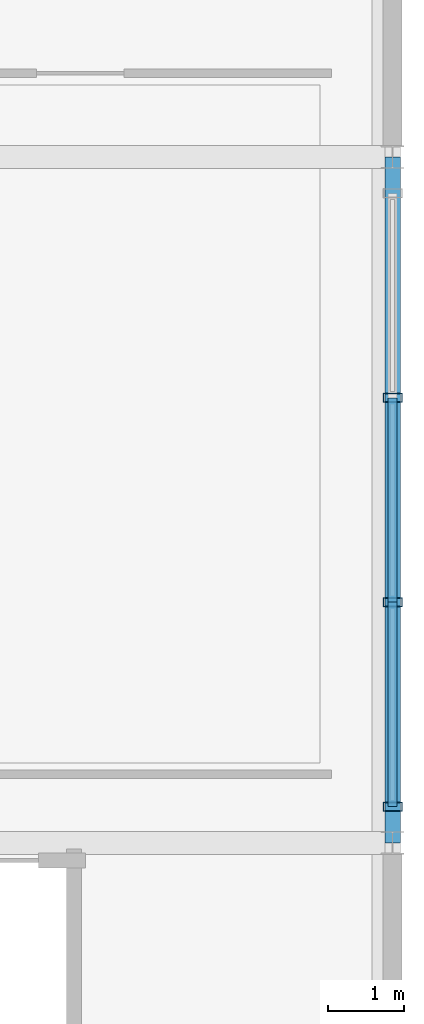
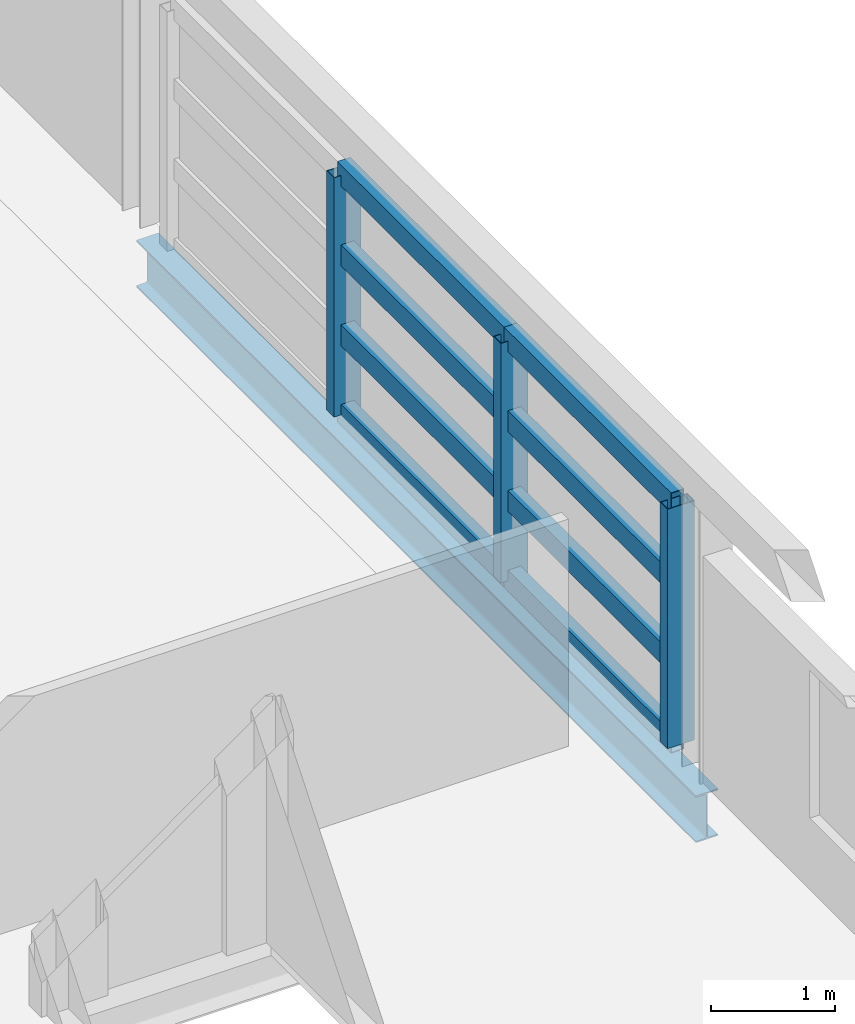
# One storey, part 9 of 27: 11 members, 1 beam, 1 element without a shape of its own.
"""IFC4 building model written with IfcOpenShell, lengths in metres."""

from ifc_helpers import new_model, si_unit, direction, frame, origin, origin_2d, place, context, subcontext, project, spatial, hollow_rectangle, i_section, extrude, material, material_profile, profile_set, type_object, element, aggregate, save


model = new_model("IFC4")

# Units and contexts
model_context = context("Model", 3, precision=1e-05, world=origin(), true_north=direction((0.0, 1.0)))
body_context = subcontext(model_context, "Body", "Model", "MODEL_VIEW")
ifc_project = project(units=[si_unit("LENGTHUNIT", "METRE"), si_unit("AREAUNIT", "SQUARE_METRE"), si_unit("VOLUMEUNIT", "CUBIC_METRE"), si_unit("PLANEANGLEUNIT", "RADIAN"), si_unit("MASSUNIT", "GRAM", prefix="KILO")], contexts=[model_context])

# Site, building, storey
site_placement = place(None, origin())
site = spatial("IfcSite", under=ifc_project, at=site_placement, CompositionType="ELEMENT")
building_placement = place(site_placement, origin())
building = spatial("IfcBuilding", under=site, at=building_placement, Name="Chuanluo Vaults Station", CompositionType="ELEMENT")
storey_placement = place(building_placement, frame((0.0, 0.0, 20.800048828125)))
storey = spatial("IfcBuildingStorey", under=building, at=storey_placement, Name="L05", CompositionType="ELEMENT", Elevation=20.800048828125)

# Beam
ifc_material_1 = material(Name="Steel Q355C", Category="steel")
ifc_material_profile_1 = material_profile(ifc_material_1, i_section(OverallWidth=0.205078125, OverallDepth=0.4599609375, WebThickness=0.009033203125, FlangeThickness=0.013916015625, FilletRadius=0.01611328125, at=origin_2d()))
ifc_profile_set_1 = profile_set([ifc_material_profile_1], Name="Steel Q355C")
beam_type = type_object("IfcBeamType", Name="BM-SPN-450", PredefinedType="SPANDREL", material=ifc_profile_set_1)
beam_placement = place(storey_placement, frame((188.0, 85.5, -0.449951171875), z_axis=(0.0, 1.0, 0.0), x_axis=(-1.0, 0.0, 0.0)))
element("IfcBeam", 1, at=beam_placement, inside=storey, type_object=beam_type, Name="Floor girder BM:GY:L05:1012", PredefinedType="SPANDREL", context=body_context, shape_type="SweptSolid", body=[
    extrude(i_section(OverallWidth=0.205078125, OverallDepth=0.4599609375, WebThickness=0.009033203125, FlangeThickness=0.013916015625, FilletRadius=0.01611328125, at=origin_2d()), origin(), (0.0, 0.0, 1.0), 9.0),
])

# Curtain wall, members
ifc_material_2 = material(Name="Anodised aluminium 6063-T6", Category="aluminium")
curtain_wall_type = type_object("IfcCurtainWallType", Name="CW-SYS-03", PredefinedType="NOTDEFINED", material=ifc_material_2)
curtain_wall_placement = place(storey_placement, origin())
curtain_wall = element("IfcCurtainWall", 2, at=curtain_wall_placement, inside=storey, type_object=curtain_wall_type, Name="Operations L05 facade CW", PredefinedType="NOTDEFINED")
ifc_material_3 = material(Name="Anodised aluminium 6063-T6", Category="aluminium")
ifc_material_profile_2 = material_profile(ifc_material_3, hollow_rectangle(XDim=0.1201171875, YDim=0.25, WallThickness=0.006103515625, at=origin_2d()))
ifc_profile_set_2 = profile_set([ifc_material_profile_2], Name="Anodised aluminium 6063-T6")
member_type_1 = type_object("IfcMemberType", Name="CWM-160", PredefinedType="MULLION", material=ifc_profile_set_2)
member_1_placement = place(storey_placement, frame((188.0, 91.341796875, 0.0), z_axis=(0.0, 0.0, 1.0), x_axis=(0.0, -1.0, 0.0)))
member_1 = element("IfcMember", 3, at=member_1_placement, type_object=member_type_1, Name="Operations L05 facade CW mullion 2", PredefinedType="MULLION", context=body_context, shape_type="SweptSolid", body=[
    extrude(hollow_rectangle(XDim=0.1201171875, YDim=0.25, WallThickness=0.006103515625, at=origin_2d()), origin(), (0.0, 0.0, 1.0), 2.349853515625),
])
member_2_placement = place(storey_placement, frame((188.0, 88.658203125, 0.0), z_axis=(0.0, 0.0, 1.0), x_axis=(0.0, -1.0, 0.0)))
member_2 = element("IfcMember", 4, at=member_2_placement, type_object=member_type_1, Name="Operations L05 facade CW mullion 3", PredefinedType="MULLION", context=body_context, shape_type="SweptSolid", body=[
    extrude(hollow_rectangle(XDim=0.1201171875, YDim=0.25, WallThickness=0.006103515625, at=origin_2d()), origin(), (0.0, 0.0, 1.0), 2.349853515625),
])
member_3_placement = place(storey_placement, frame((188.0, 85.97509765625, 0.0), z_axis=(0.0, 0.0, 1.0), x_axis=(0.0, -1.0, 0.0)))
member_3 = element("IfcMember", 5, at=member_3_placement, type_object=member_type_1, Name="Operations L05 facade CW mullion 4", PredefinedType="MULLION", context=body_context, shape_type="SweptSolid", body=[
    extrude(hollow_rectangle(XDim=0.1201171875, YDim=0.25, WallThickness=0.006103515625, at=origin_2d()), origin(), (0.0, 0.0, 1.0), 2.349853515625),
])
ifc_material_4 = material(Name="Anodised aluminium 6063-T6", Category="aluminium")
ifc_material_profile_3 = material_profile(ifc_material_4, hollow_rectangle(XDim=0.1201171875, YDim=0.205078125, WallThickness=0.006103515625, at=origin_2d()))
ifc_profile_set_3 = profile_set([ifc_material_profile_3], Name="Anodised aluminium 6063-T6")
member_type_2 = type_object("IfcMemberType", Name="CWT-130", PredefinedType="USERDEFINED", material=ifc_profile_set_3)
member_4_placement = place(storey_placement, frame((188.0, 91.341796875, 0.0), z_axis=(0.0, -1.0, 0.0), x_axis=(1.0, 0.0, 0.0)))
member_4 = element("IfcMember", 6, at=member_4_placement, type_object=member_type_2, Name="Operations L05 facade CW transom 2.1", ObjectType="TRANSOM", PredefinedType="USERDEFINED", context=body_context, shape_type="SweptSolid", body=[
    extrude(hollow_rectangle(XDim=0.1201171875, YDim=0.205078125, WallThickness=0.006103515625, at=origin_2d()), origin(), (0.0, 0.0, 1.0), 2.68359375),
])
member_5_placement = place(storey_placement, frame((188.0, 91.341796875, 0.783203125), z_axis=(0.0, -1.0, 0.0), x_axis=(1.0, 0.0, 0.0)))
member_5 = element("IfcMember", 7, at=member_5_placement, type_object=member_type_2, Name="Operations L05 facade CW transom 2.2", ObjectType="TRANSOM", PredefinedType="USERDEFINED", context=body_context, shape_type="SweptSolid", body=[
    extrude(hollow_rectangle(XDim=0.1201171875, YDim=0.205078125, WallThickness=0.006103515625, at=origin_2d()), origin(), (0.0, 0.0, 1.0), 2.68359375),
])
member_6_placement = place(storey_placement, frame((188.0, 91.341796875, 1.566650390625), z_axis=(0.0, -1.0, 0.0), x_axis=(1.0, 0.0, 0.0)))
member_6 = element("IfcMember", 8, at=member_6_placement, type_object=member_type_2, Name="Operations L05 facade CW transom 2.3", ObjectType="TRANSOM", PredefinedType="USERDEFINED", context=body_context, shape_type="SweptSolid", body=[
    extrude(hollow_rectangle(XDim=0.1201171875, YDim=0.205078125, WallThickness=0.006103515625, at=origin_2d()), origin(), (0.0, 0.0, 1.0), 2.68359375),
])
member_7_placement = place(storey_placement, frame((188.0, 91.341796875, 2.349853515625), z_axis=(0.0, -1.0, 0.0), x_axis=(1.0, 0.0, 0.0)))
member_7 = element("IfcMember", 9, at=member_7_placement, type_object=member_type_2, Name="Operations L05 facade CW transom 2.4", ObjectType="TRANSOM", PredefinedType="USERDEFINED", context=body_context, shape_type="SweptSolid", body=[
    extrude(hollow_rectangle(XDim=0.1201171875, YDim=0.205078125, WallThickness=0.006103515625, at=origin_2d()), origin(), (0.0, 0.0, 1.0), 2.68359375),
])
member_8_placement = place(storey_placement, frame((188.0, 88.658203125, 0.0), z_axis=(0.0, -1.0, 0.0), x_axis=(1.0, 0.0, 0.0)))
member_8 = element("IfcMember", 10, at=member_8_placement, type_object=member_type_2, Name="Operations L05 facade CW transom 3.1", ObjectType="TRANSOM", PredefinedType="USERDEFINED", context=body_context, shape_type="SweptSolid", body=[
    extrude(hollow_rectangle(XDim=0.1201171875, YDim=0.205078125, WallThickness=0.006103515625, at=origin_2d()), origin(), (0.0, 0.0, 1.0), 2.68310546875),
])
member_9_placement = place(storey_placement, frame((188.0, 88.658203125, 0.783203125), z_axis=(0.0, -1.0, 0.0), x_axis=(1.0, 0.0, 0.0)))
member_9 = element("IfcMember", 11, at=member_9_placement, type_object=member_type_2, Name="Operations L05 facade CW transom 3.2", ObjectType="TRANSOM", PredefinedType="USERDEFINED", context=body_context, shape_type="SweptSolid", body=[
    extrude(hollow_rectangle(XDim=0.1201171875, YDim=0.205078125, WallThickness=0.006103515625, at=origin_2d()), origin(), (0.0, 0.0, 1.0), 2.68310546875),
])
member_10_placement = place(storey_placement, frame((188.0, 88.658203125, 1.566650390625), z_axis=(0.0, -1.0, 0.0), x_axis=(1.0, 0.0, 0.0)))
member_10 = element("IfcMember", 12, at=member_10_placement, type_object=member_type_2, Name="Operations L05 facade CW transom 3.3", ObjectType="TRANSOM", PredefinedType="USERDEFINED", context=body_context, shape_type="SweptSolid", body=[
    extrude(hollow_rectangle(XDim=0.1201171875, YDim=0.205078125, WallThickness=0.006103515625, at=origin_2d()), origin(), (0.0, 0.0, 1.0), 2.68310546875),
])
member_11_placement = place(storey_placement, frame((188.0, 88.658203125, 2.349853515625), z_axis=(0.0, -1.0, 0.0), x_axis=(1.0, 0.0, 0.0)))
member_11 = element("IfcMember", 13, at=member_11_placement, type_object=member_type_2, Name="Operations L05 facade CW transom 3.4", ObjectType="TRANSOM", PredefinedType="USERDEFINED", context=body_context, shape_type="SweptSolid", body=[
    extrude(hollow_rectangle(XDim=0.1201171875, YDim=0.205078125, WallThickness=0.006103515625, at=origin_2d()), origin(), (0.0, 0.0, 1.0), 2.68310546875),
])
aggregate(curtain_wall, [member_1, member_2, member_3, member_4, member_5, member_6, member_7, member_8, member_9, member_10, member_11])

save(model, "model.ifc")
